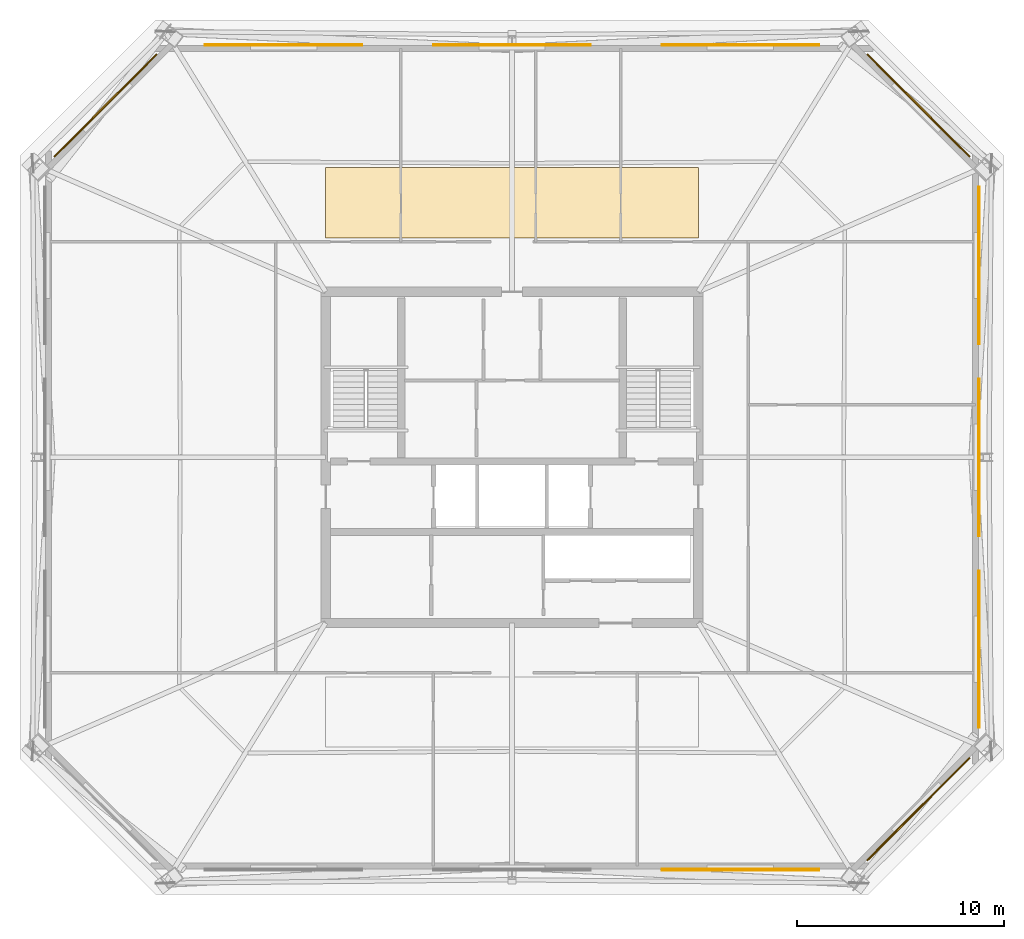
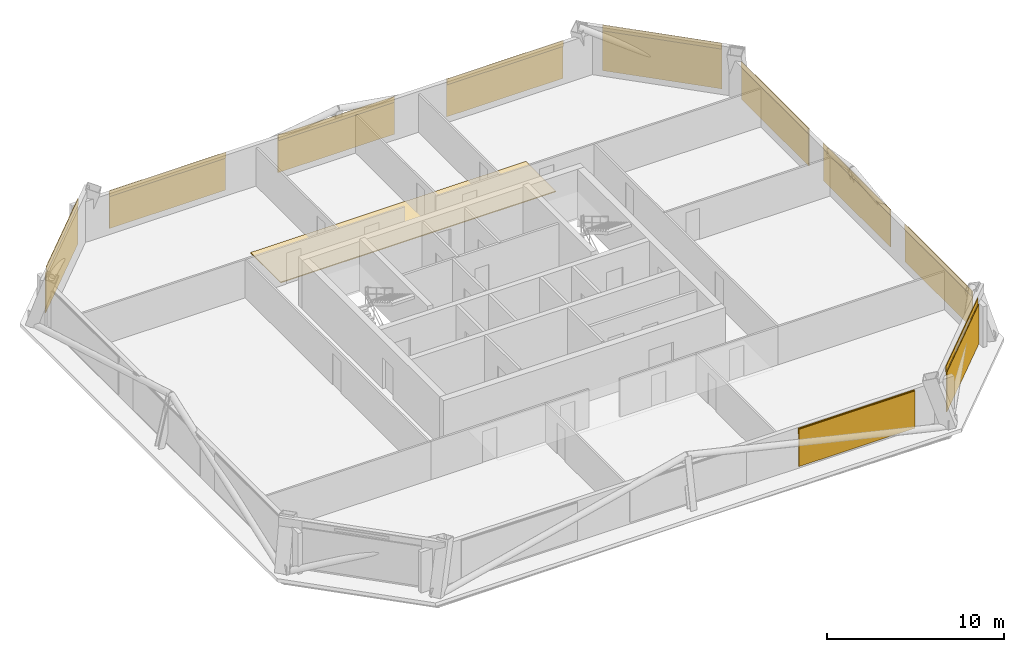
# One storey, part 6 of 6: 11 coverings, 10 shading devices.
"""IFC4 building model written with IfcOpenShell, lengths in metres."""

from ifc_helpers import new_model, si_unit, direction, frame, origin, origin_2d, place, context, subcontext, project, spatial, polyline, rectangle, outline, extrude, material, layer, layer_set, type_object, element, save


model = new_model("IFC4")

# Units and contexts
model_context = context("Model", 3, precision=1e-05, world=origin(), true_north=direction((0.0, 1.0)))
body_context = subcontext(model_context, "Body", "Model", "MODEL_VIEW")
ifc_project = project(units=[si_unit("LENGTHUNIT", "METRE"), si_unit("AREAUNIT", "SQUARE_METRE"), si_unit("VOLUMEUNIT", "CUBIC_METRE"), si_unit("PLANEANGLEUNIT", "RADIAN"), si_unit("MASSUNIT", "GRAM", prefix="KILO")], contexts=[model_context])

# Site, building, storey
site_placement = place(None, origin())
site = spatial("IfcSite", under=ifc_project, at=site_placement, CompositionType="ELEMENT")
building_placement = place(site_placement, origin())
building = spatial("IfcBuilding", under=site, at=building_placement, Name="Caelvoria Tower", CompositionType="ELEMENT")
storey_placement = place(building_placement, frame((0.0, 0.0, 184.199951171875)))
storey = spatial("IfcBuildingStorey", under=building, at=storey_placement, Name="L48", CompositionType="ELEMENT", Elevation=184.199951171875)

# Coverings
ifc_material_1 = material(Name="Perforated Architectural Bronze Cladding Screen", Category="bronze")
ifc_layer_1 = layer(ifc_material_1, 0.0400390625, Name="Perforated Architectural Bronze Cladding Screen")
ifc_layer_set_1 = layer_set([ifc_layer_1], Name="Perforated Bronze Louvre Cladding Band 40 - Perforated Architectural Bronze Cladding Screen")
covering_type_1 = type_object("IfcCoveringType", Name="Perforated Bronze Louvre Cladding Band 40", PredefinedType="CLADDING", material=ifc_layer_set_1)
covering_1_placement = place(storey_placement, frame((57.026611328125, 12.10791015625, 2.397216796875), z_axis=(0.0, 0.0, 1.0), x_axis=(1.0, 0.0, 0.0)))
element("IfcCovering", 1, at=covering_1_placement, inside=storey, type_object=covering_type_1, Name="Perforated Bronze Screen Band L48-E0-02", PredefinedType="CLADDING", context=body_context, shape_type="SweptSolid", body=[
    extrude(rectangle(XDim=7.60009765625, YDim=0.0400390625, at=origin_2d()), origin(), (0.0, 0.0, 1.0), 0.39990234375),
])
covering_2_placement = place(storey_placement, frame((65.61181640625, 15.0283203125, 2.940185546875), z_axis=(0.0, 0.0, 1.0), x_axis=(0.707106781187, 0.707106781187, 0.0)))
element("IfcCovering", 2, at=covering_2_placement, inside=storey, type_object=covering_type_1, Name="Perforated Bronze Screen Band L48-E1-00", PredefinedType="CLADDING", context=body_context, shape_type="SweptSolid", body=[
    extrude(rectangle(XDim=7.00244140625, YDim=0.0400390625, at=origin_2d()), origin(), (0.0, 0.0, 1.0), 0.39990234375),
])
for number, where, z_axis, x_axis, name in (
    (3, (68.531982421875, 22.7333984375, 2.397216796875), (0.0, 0.0, 1.0), (0.0, 1.0, 0.0), "Perforated Bronze Screen Band L48-E2-00"),
    (4, (68.531982421875, 32.0, 2.397216796875), (0.0, 0.0, 1.0), (0.0, 1.0, 0.0), "Perforated Bronze Screen Band L48-E2-01"),
    (5, (68.531982421875, 41.2666015625, 2.397216796875), (0.0, 0.0, 1.0), (0.0, 1.0, 0.0), "Perforated Bronze Screen Band L48-E2-02"),
):
    element("IfcCovering", number, at=place(storey_placement, frame(where, z_axis=z_axis, x_axis=x_axis)), inside=storey, type_object=covering_type_1, Name=name, PredefinedType="CLADDING", context=body_context, shape_type="SweptSolid", body=[
        extrude(rectangle(XDim=7.60009765625, YDim=0.0400390625, at=origin_2d()), origin(), (0.0, 0.0, 1.0), 0.39990234375),
    ])
covering_3_placement = place(storey_placement, frame((65.61181640625, 48.9716796875, 2.940185546875), z_axis=(0.0, 0.0, 1.0), x_axis=(-0.707106781187, 0.707106781187, 0.0)))
element("IfcCovering", 6, at=covering_3_placement, inside=storey, type_object=covering_type_1, Name="Perforated Bronze Screen Band L48-E3-00", PredefinedType="CLADDING", context=body_context, shape_type="SweptSolid", body=[
    extrude(rectangle(XDim=7.00244140625, YDim=0.0400390625, at=origin_2d()), origin(), (0.0, 0.0, 1.0), 0.39990234375),
])
for number, where, z_axis, x_axis, name in (
    (7, (57.026611328125, 51.89208984375, 2.397216796875), (0.0, 0.0, 1.0), (-1.0, 0.0, 0.0), "Perforated Bronze Screen Band L48-E4-00"),
    (8, (46.0, 51.89208984375, 2.397216796875), (0.0, 0.0, 1.0), (-1.0, 0.0, 0.0), "Perforated Bronze Screen Band L48-E4-01"),
    (9, (34.973388671875, 51.89208984375, 2.397216796875), (0.0, 0.0, 1.0), (-1.0, 0.0, 0.0), "Perforated Bronze Screen Band L48-E4-02"),
):
    element("IfcCovering", number, at=place(storey_placement, frame(where, z_axis=z_axis, x_axis=x_axis)), inside=storey, type_object=covering_type_1, Name=name, PredefinedType="CLADDING", context=body_context, shape_type="SweptSolid", body=[
        extrude(rectangle(XDim=7.60009765625, YDim=0.0400390625, at=origin_2d()), origin(), (0.0, 0.0, 1.0), 0.39990234375),
    ])
covering_4_placement = place(storey_placement, frame((26.38818359375, 48.9716796875, 2.940185546875), z_axis=(0.0, 0.0, 1.0), x_axis=(-0.707106781187, -0.707106781187, 0.0)))
element("IfcCovering", 10, at=covering_4_placement, inside=storey, type_object=covering_type_1, Name="Perforated Bronze Screen Band L48-E5-00", PredefinedType="CLADDING", context=body_context, shape_type="SweptSolid", body=[
    extrude(rectangle(XDim=7.00244140625, YDim=0.0400390625, at=origin_2d()), origin(), (0.0, 0.0, 1.0), 0.39990234375),
])

# Shading devices
ifc_material_2 = material(Name="Perforated Architectural Bronze Alloy Panel", Category="bronze")
ifc_layer_2 = layer(ifc_material_2, 0.044921875, Name="Perforated Architectural Bronze Alloy Panel")
ifc_layer_set_2 = layer_set([ifc_layer_2], Name="Perforated Bronze Solar Screen Panel SCREEN - Perforated Architectural Bronze Alloy Panel")
shading_device_type = type_object("IfcShadingDeviceType", Name="Perforated Bronze Solar Screen Panel SCREEN", PredefinedType="USERDEFINED", material=ifc_layer_set_2)
shading_device_1_placement = place(storey_placement, frame((57.026611328125, 12.06494140625, 0.16015625), z_axis=(0.0, 0.0, 1.0), x_axis=(1.0, 0.0, 0.0)))
element("IfcShadingDevice", 11, at=shading_device_1_placement, inside=storey, type_object=shading_device_type, Name="Perforated Bronze Solar Screen L48-E0-02", ObjectType="SCREEN", PredefinedType="USERDEFINED", context=body_context, shape_type="SweptSolid", body=[
    extrude(rectangle(XDim=7.60009765625, YDim=0.044921875, at=origin_2d()), origin(), (0.0, 0.0, 1.0), 2.576904296875),
])
shading_device_2_placement = place(storey_placement, frame((65.64208984375, 14.997802734375, 0.16015625), z_axis=(0.0, 0.0, 1.0), x_axis=(0.707106781187, 0.707106781187, 0.0)))
element("IfcShadingDevice", 12, at=shading_device_2_placement, inside=storey, type_object=shading_device_type, Name="Perforated Bronze Solar Screen L48-E1-00", ObjectType="SCREEN", PredefinedType="USERDEFINED", context=body_context, shape_type="SweptSolid", body=[
    extrude(rectangle(XDim=7.00244140625, YDim=0.044921875, at=origin_2d()), origin(), (0.0, 0.0, 1.0), 2.75),
])
for number, where, z_axis, x_axis, name in (
    (13, (68.574951171875, 22.7333984375, 0.16015625), (0.0, 0.0, 1.0), (0.0, 1.0, 0.0), "Perforated Bronze Solar Screen L48-E2-00"),
    (14, (68.574951171875, 32.0, 0.16015625), (0.0, 0.0, 1.0), (0.0, 1.0, 0.0), "Perforated Bronze Solar Screen L48-E2-01"),
    (15, (68.574951171875, 41.2666015625, 0.16015625), (0.0, 0.0, 1.0), (0.0, 1.0, 0.0), "Perforated Bronze Solar Screen L48-E2-02"),
):
    element("IfcShadingDevice", number, at=place(storey_placement, frame(where, z_axis=z_axis, x_axis=x_axis)), inside=storey, type_object=shading_device_type, Name=name, ObjectType="SCREEN", PredefinedType="USERDEFINED", context=body_context, shape_type="SweptSolid", body=[
        extrude(rectangle(XDim=7.60009765625, YDim=0.044921875, at=origin_2d()), origin(), (0.0, 0.0, 1.0), 2.576904296875),
    ])
shading_device_3_placement = place(storey_placement, frame((65.64208984375, 49.002197265625, 0.16015625), z_axis=(0.0, 0.0, 1.0), x_axis=(-0.707106781187, 0.707106781187, 0.0)))
element("IfcShadingDevice", 16, at=shading_device_3_placement, inside=storey, type_object=shading_device_type, Name="Perforated Bronze Solar Screen L48-E3-00", ObjectType="SCREEN", PredefinedType="USERDEFINED", context=body_context, shape_type="SweptSolid", body=[
    extrude(rectangle(XDim=7.00244140625, YDim=0.044921875, at=origin_2d()), origin(), (0.0, 0.0, 1.0), 2.75),
])
for number, where, z_axis, x_axis, name in (
    (17, (57.026611328125, 51.93505859375, 0.16015625), (0.0, 0.0, 1.0), (-1.0, 0.0, 0.0), "Perforated Bronze Solar Screen L48-E4-00"),
    (18, (46.0, 51.93505859375, 0.16015625), (0.0, 0.0, 1.0), (-1.0, 0.0, 0.0), "Perforated Bronze Solar Screen L48-E4-01"),
    (19, (34.973388671875, 51.93505859375, 0.16015625), (0.0, 0.0, 1.0), (-1.0, 0.0, 0.0), "Perforated Bronze Solar Screen L48-E4-02"),
):
    element("IfcShadingDevice", number, at=place(storey_placement, frame(where, z_axis=z_axis, x_axis=x_axis)), inside=storey, type_object=shading_device_type, Name=name, ObjectType="SCREEN", PredefinedType="USERDEFINED", context=body_context, shape_type="SweptSolid", body=[
        extrude(rectangle(XDim=7.60009765625, YDim=0.044921875, at=origin_2d()), origin(), (0.0, 0.0, 1.0), 2.576904296875),
    ])
shading_device_4_placement = place(storey_placement, frame((26.35791015625, 49.002197265625, 0.16015625), z_axis=(0.0, 0.0, 1.0), x_axis=(-0.707106781187, -0.707106781187, 0.0)))
element("IfcShadingDevice", 20, at=shading_device_4_placement, inside=storey, type_object=shading_device_type, Name="Perforated Bronze Solar Screen L48-E5-00", ObjectType="SCREEN", PredefinedType="USERDEFINED", context=body_context, shape_type="SweptSolid", body=[
    extrude(rectangle(XDim=7.00244140625, YDim=0.044921875, at=origin_2d()), origin(), (0.0, 0.0, 1.0), 2.75),
])

# Covering
ifc_material_3 = material(Name="Calcium-Sulphate Raised Floor Tile", Category="gypsum")
ifc_layer_3 = layer(ifc_material_3, 0.06005859375, Name="Calcium-Sulphate Raised Floor Tile")
ifc_layer_set_3 = layer_set([ifc_layer_3], Name="Raised Access Office Floor System 120 - Calcium-Sulphate Raised Floor Tile")
covering_type_2 = type_object("IfcCoveringType", Name="Raised Access Office Floor System 120", PredefinedType="FLOORING", material=ifc_layer_set_3)
covering_5_placement = place(storey_placement, origin())
element("IfcCovering", 21, at=covering_5_placement, inside=storey, type_object=covering_type_2, Name="Raised Access Flooring L48", PredefinedType="FLOORING", context=body_context, shape_type="SweptSolid", body=[
    extrude(outline(polyline([(37.0, 42.60009765625), (55.0, 42.60009765625), (55.0, 46.0), (37.0, 46.0), (37.0, 42.60009765625)])), origin(), (0.0, 0.0, 1.0), 0.06005859375),
])

save(model, "model.ifc")
